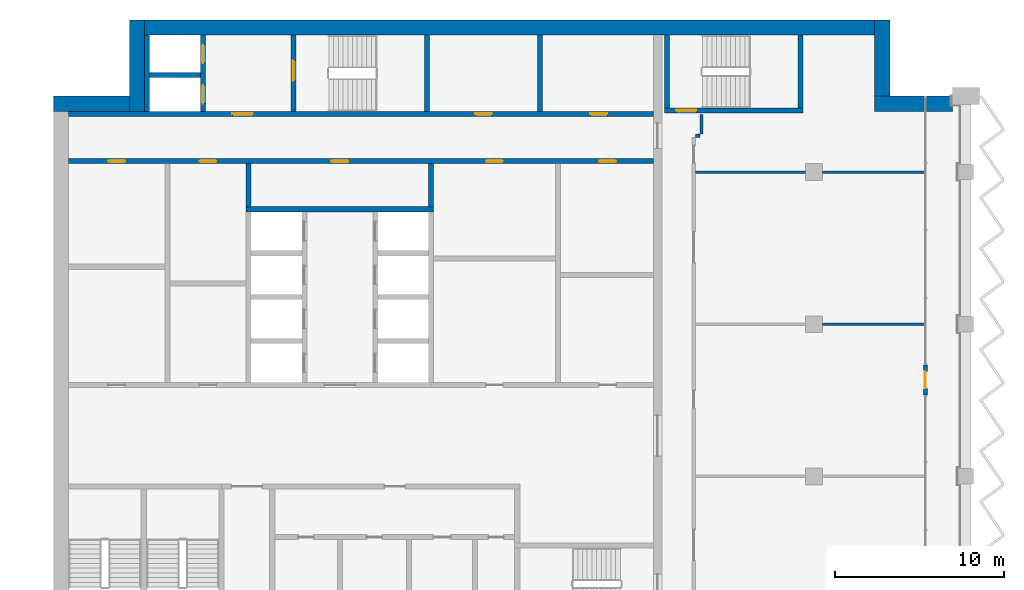
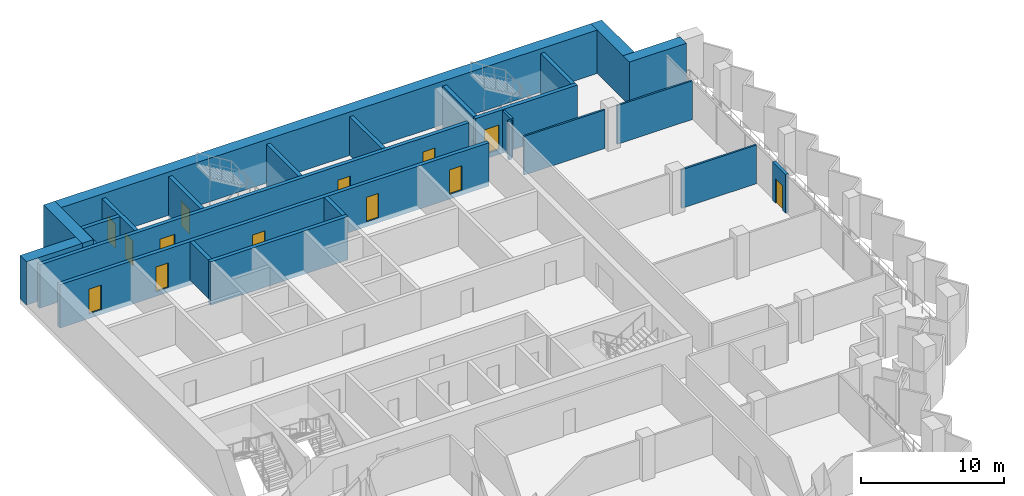
# One storey, part 11 of 17: 25 walls, 13 doors, 13 openings.
"""IFC4 building model written with IfcOpenShell, lengths in metres."""

from ifc_helpers import new_model, si_unit, direction, frame, frame_2d, origin, place, context, subcontext, project, spatial, rectangle, extrude, material, layer, layer_set, type_object, element, fill, save


model = new_model("IFC4")

# Units and contexts
model_context = context("Model", 3, precision=1e-05, world=origin(), true_north=direction((0.0, 1.0)))
body_context = subcontext(model_context, "Body", "Model", "MODEL_VIEW")
ifc_project = project(units=[si_unit("LENGTHUNIT", "METRE"), si_unit("AREAUNIT", "SQUARE_METRE"), si_unit("VOLUMEUNIT", "CUBIC_METRE"), si_unit("PLANEANGLEUNIT", "RADIAN"), si_unit("MASSUNIT", "GRAM", prefix="KILO")], contexts=[model_context])

# Site, building, storey
site_placement = place(None, origin())
site = spatial("IfcSite", under=ifc_project, at=site_placement, CompositionType="ELEMENT")
building_placement = place(site_placement, origin())
building = spatial("IfcBuilding", under=site, at=building_placement, Name="Hunhe Ridgeline Campus", CompositionType="ELEMENT")
storey_placement = place(building_placement, frame((0.0, 0.0, 265.10009765625)))
storey = spatial("IfcBuildingStorey", under=building, at=storey_placement, Name="L68", CompositionType="ELEMENT", Elevation=265.10009765625)

# Walls
ifc_material_1 = material(Name="Masonry concrete blockwork", Category="masonry")
ifc_layer_1 = layer(ifc_material_1, 0.300048828125)
ifc_layer_set_1 = layer_set([ifc_layer_1], Name="Core room partition 300 concrete block")
wall_type_1 = type_object("IfcWallType", Name="Core room partition 300 concrete block", PredefinedType="PARTITIONING", material=ifc_layer_set_1)
for number, where, z_axis, x_axis, name in (
    (1, (11.550048828125, 87.949951171875, 0.0), (0.0, 0.0, 1.0), (0.0, 1.0, 0.0), "L68 core partition 34"),
    (2, (22.35009765625, 87.949951171875, 0.0), (0.0, 0.0, 1.0), (0.0, 1.0, 0.0), "L68 core partition 44"),
):
    element("IfcWall", number, at=place(storey_placement, frame(where, z_axis=z_axis, x_axis=x_axis)), inside=storey, type_object=wall_type_1, Name=name, PredefinedType="PARTITIONING", context=body_context, shape_type="SweptSolid", body=[
        extrude(rectangle(XDim=2.550048828125, YDim=0.300048828125, at=frame_2d((1.27490234375, 0.0))), origin(), (0.0, 0.0, 1.0), 3.2998046875),
    ])
wall_1_placement = place(storey_placement, frame((28.800048828125, 93.60009765625, 0.0), z_axis=(0.0, 0.0, 1.0), x_axis=(0.0, 1.0, 0.0)))
element("IfcWall", 3, at=wall_1_placement, inside=storey, type_object=wall_type_1, Name="L68 core partition 49", PredefinedType="PARTITIONING", context=body_context, shape_type="SweptSolid", body=[
    extrude(rectangle(XDim=4.5, YDim=0.300048828125, at=frame_2d((2.25, 0.0))), origin(), (0.0, 0.0, 1.0), 3.2998046875),
])
ifc_material_2 = material(Name="Gypsum board partition")
ifc_layer_2 = layer(ifc_material_2, 0.199951171875)
ifc_layer_set_2 = layer_set([ifc_layer_2], Name="Corridor partition 200 gypsum board on steel studs")
wall_type_2 = type_object("IfcWallType", Name="Corridor partition 200 gypsum board on steel studs", PredefinedType="PARTITIONING", material=ifc_layer_set_2)
wall_2_placement = place(storey_placement, frame((38.25, 92.14990234375, 0.0), z_axis=(0.0, 0.0, 1.0), x_axis=(-1.0, 0.0, 0.0)))
element("IfcWall", 4, at=wall_2_placement, inside=storey, type_object=wall_type_2, Name="F-L68-wall-036", PredefinedType="PARTITIONING", context=body_context, shape_type="SweptSolid", body=[
    extrude(rectangle(XDim=0.25, YDim=0.199951171875, at=frame_2d((0.125, 0.0))), origin(), (0.0, 0.0, 1.0), 3.2998046875),
])
wall_3_placement = place(storey_placement, frame((38.35009765625, 93.39599609375, 0.0), z_axis=(0.0, 0.0, 1.0), x_axis=(0.0, -1.0, 0.0)))
element("IfcWall", 5, at=wall_3_placement, inside=storey, type_object=wall_type_2, Name="F-L68-wall-047", PredefinedType="PARTITIONING", context=body_context, shape_type="SweptSolid", body=[
    extrude(rectangle(XDim=1.14599609375, YDim=0.199951171875, at=frame_2d((0.572998046875, 0.0))), origin(), (0.0, 0.0, 1.0), 3.2998046875),
])

# Wall, openings, doors
ifc_material_3 = material(Name="Concrete C50", Category="concrete")
ifc_layer_3 = layer(ifc_material_3, 0.300048828125)
ifc_layer_set_3 = layer_set([ifc_layer_3], Name="Lobby wall 300 reinforced concrete C50")
wall_type_3 = type_object("IfcWallType", Name="Lobby wall 300 reinforced concrete C50", PredefinedType="SOLIDWALL", material=ifc_layer_set_3)
wall_4_placement = place(storey_placement, frame((0.89990234375, 90.64990234375, -0.400146484375), z_axis=(0.0, 0.0, 1.0), x_axis=(1.0, 0.0, 0.0)))
wall_4 = element("IfcWall", 6, at=wall_4_placement, inside=storey, type_object=wall_type_3, Name="L68 core wall 23", PredefinedType="SOLIDWALL", context=body_context, shape_type="SweptSolid", body=[
    extrude(rectangle(XDim=34.60009765625, YDim=0.300048828125, at=frame_2d((17.300048828125, 0.0))), origin(), (0.0, 0.0, 1.0), 3.699951171875),
])
opening_1_placement = place(wall_4_placement, frame((15.550048828125, 0.0, 0.39990234375)))
opening_1 = element("IfcOpeningElement", 7, at=opening_1_placement, cuts=wall_4, Name="Opening CD26", PredefinedType="OPENING", context=body_context, shape_type="SweptSolid", body=[
    extrude(rectangle(XDim=1.0, YDim=2.10009765625, at=frame_2d((0.5, 1.050048828125))), frame((0.0, 0.14990234375, 0.0), z_axis=(0.0, -1.0, 0.0), x_axis=(1.0, 0.0, 0.0)), (0.0, 0.0, 1.0), 0.300048828125),
])
opening_2_placement = place(wall_4_placement, frame((2.35009765625, 0.0, 0.39990234375)))
opening_2 = element("IfcOpeningElement", 8, at=opening_2_placement, cuts=wall_4, Name="Opening CD40", PredefinedType="OPENING", context=body_context, shape_type="SweptSolid", body=[
    extrude(rectangle(XDim=1.0, YDim=2.10009765625, at=frame_2d((0.5, 1.050048828125))), frame((0.0, 0.14990234375, 0.0), z_axis=(0.0, -1.0, 0.0), x_axis=(1.0, 0.0, 0.0)), (0.0, 0.0, 1.0), 0.300048828125),
])
opening_3_placement = place(wall_4_placement, frame((7.75, 0.0, 0.39990234375)))
opening_3 = element("IfcOpeningElement", 9, at=opening_3_placement, cuts=wall_4, Name="Opening CD43", PredefinedType="OPENING", context=body_context, shape_type="SweptSolid", body=[
    extrude(rectangle(XDim=1.0, YDim=2.10009765625, at=frame_2d((0.5, 1.050048828125))), frame((0.0, 0.14990234375, 0.0), z_axis=(0.0, -1.0, 0.0), x_axis=(1.0, 0.0, 0.0)), (0.0, 0.0, 1.0), 0.300048828125),
])
opening_4_placement = place(wall_4_placement, frame((24.699951171875, 0.0, 0.39990234375)))
opening_4 = element("IfcOpeningElement", 10, at=opening_4_placement, cuts=wall_4, Name="Opening CD33", PredefinedType="OPENING", context=body_context, shape_type="SweptSolid", body=[
    extrude(rectangle(XDim=1.0, YDim=2.10009765625, at=frame_2d((0.5, 1.050048828125))), frame((0.0, 0.14990234375, 0.0), z_axis=(0.0, -1.0, 0.0), x_axis=(1.0, 0.0, 0.0)), (0.0, 0.0, 1.0), 0.300048828125),
])
opening_5_placement = place(wall_4_placement, frame((31.39990234375, 0.0, 0.39990234375)))
opening_5 = element("IfcOpeningElement", 11, at=opening_5_placement, cuts=wall_4, Name="Opening CD44", PredefinedType="OPENING", context=body_context, shape_type="SweptSolid", body=[
    extrude(rectangle(XDim=1.0, YDim=2.10009765625, at=frame_2d((0.5, 1.050048828125))), frame((0.0, 0.14990234375, 0.0), z_axis=(0.0, -1.0, 0.0), x_axis=(1.0, 0.0, 0.0)), (0.0, 0.0, 1.0), 0.300048828125),
])
ifc_material_4 = material(Name="Solid core timber door leaf", Category="wood")
door_type_1 = type_object("IfcDoorType", Name="Timber door 1000x2100", OperationType="SINGLE_SWING_LEFT", PredefinedType="DOOR", material=ifc_material_4)
door_1_placement = place(opening_1_placement, frame((1.0, 0.0, 0.0), z_axis=(0.0, 0.0, 1.0), x_axis=(-1.0, 0.0, 0.0)))
door_1 = element("IfcDoor", 12, at=door_1_placement, inside=storey, type_object=door_type_1, Name="L68 door NR-0", OperationType="SINGLE_SWING_RIGHT", OverallHeight=2.10009765625, OverallWidth=1.0, PredefinedType="DOOR", context=body_context, shape_type="SweptSolid", body=[
    extrude(rectangle(XDim=1.0, YDim=2.10009765625, at=frame_2d((0.5, 1.050048828125))), frame((0.0, 0.02490234375, 0.0), z_axis=(0.0, -1.0, 0.0), x_axis=(1.0, 0.0, 0.0)), (0.0, 0.0, 1.0), 0.050048828125),
])
fill(opening_1, door_1)
door_2_placement = place(opening_2_placement, frame((1.0, 0.0, 0.0), z_axis=(0.0, 0.0, 1.0), x_axis=(-1.0, 0.0, 0.0)))
door_2 = element("IfcDoor", 13, at=door_2_placement, inside=storey, type_object=door_type_1, Name="L68 door VD-LR1", OperationType="SINGLE_SWING_RIGHT", OverallHeight=2.10009765625, OverallWidth=1.0, PredefinedType="DOOR", context=body_context, shape_type="SweptSolid", body=[
    extrude(rectangle(XDim=1.0, YDim=2.10009765625, at=frame_2d((0.5, 1.050048828125))), frame((0.0, 0.02490234375, 0.0), z_axis=(0.0, -1.0, 0.0), x_axis=(1.0, 0.0, 0.0)), (0.0, 0.0, 1.0), 0.050048828125),
])
fill(opening_2, door_2)
door_3_placement = place(opening_3_placement, frame((1.0, 0.0, 0.0), z_axis=(0.0, 0.0, 1.0), x_axis=(-1.0, 0.0, 0.0)))
door_3 = element("IfcDoor", 14, at=door_3_placement, inside=storey, type_object=door_type_1, Name="L68 door VD-LR3", OperationType="SINGLE_SWING_RIGHT", OverallHeight=2.10009765625, OverallWidth=1.0, PredefinedType="DOOR", context=body_context, shape_type="SweptSolid", body=[
    extrude(rectangle(XDim=1.0, YDim=2.10009765625, at=frame_2d((0.5, 1.050048828125))), frame((0.0, 0.02490234375, 0.0), z_axis=(0.0, -1.0, 0.0), x_axis=(1.0, 0.0, 0.0)), (0.0, 0.0, 1.0), 0.050048828125),
])
fill(opening_3, door_3)
door_4_placement = place(opening_4_placement, frame((1.0, 0.0, 0.0), z_axis=(0.0, 0.0, 1.0), x_axis=(-1.0, 0.0, 0.0)))
door_4 = element("IfcDoor", 15, at=door_4_placement, inside=storey, type_object=door_type_1, Name="L68 door ES1", OperationType="SINGLE_SWING_LEFT", OverallHeight=2.10009765625, OverallWidth=1.0, PredefinedType="DOOR", context=body_context, shape_type="SweptSolid", body=[
    extrude(rectangle(XDim=1.0, YDim=2.10009765625, at=frame_2d((0.5, 1.050048828125))), frame((0.0, 0.02490234375, 0.0), z_axis=(0.0, -1.0, 0.0), x_axis=(1.0, 0.0, 0.0)), (0.0, 0.0, 1.0), 0.050048828125),
])
fill(opening_4, door_4)
door_5_placement = place(opening_5_placement, frame((1.0, 0.0, 0.0), z_axis=(0.0, 0.0, 1.0), x_axis=(-1.0, 0.0, 0.0)))
door_5 = element("IfcDoor", 16, at=door_5_placement, inside=storey, type_object=door_type_1, Name="L68 door ES3", OperationType="SINGLE_SWING_LEFT", OverallHeight=2.10009765625, OverallWidth=1.0, PredefinedType="DOOR", context=body_context, shape_type="SweptSolid", body=[
    extrude(rectangle(XDim=1.0, YDim=2.10009765625, at=frame_2d((0.5, 1.050048828125))), frame((0.0, 0.02490234375, 0.0), z_axis=(0.0, -1.0, 0.0), x_axis=(1.0, 0.0, 0.0)), (0.0, 0.0, 1.0), 0.050048828125),
])
fill(opening_5, door_5)

# Wall, opening, door
ifc_material_5 = material(Name="Concrete C30", Category="concrete")
ifc_layer_4 = layer(ifc_material_5, 0.25)
ifc_layer_set_4 = layer_set([ifc_layer_4], Name="Loggia door pier wall 250 Concrete C30")
wall_type_4 = type_object("IfcWallType", Name="Loggia door pier wall 250 Concrete C30", PredefinedType="SOLIDWALL", material=ifc_layer_set_4)
wall_5_placement = place(storey_placement, frame((51.59912109375, 76.800537109375, 0.0), z_axis=(0.0, 0.0, 1.0), x_axis=(0.0, 1.0, 0.0)))
wall_5 = element("IfcWall", 17, at=wall_5_placement, inside=storey, type_object=wall_type_4, Name="Loggia door pier 3", PredefinedType="SOLIDWALL", context=body_context, shape_type="SweptSolid", body=[
    extrude(rectangle(XDim=1.800048828125, YDim=0.25, at=frame_2d((0.89990234375, 0.0))), origin(), (0.0, 0.0, 1.0), 3.2998046875),
])
opening_6_placement = place(wall_5_placement, frame((0.39990234375, 0.0, 0.0)))
opening_6 = element("IfcOpeningElement", 18, at=opening_6_placement, cuts=wall_5, Name="Opening BD506", PredefinedType="OPENING", context=body_context, shape_type="SweptSolid", body=[
    extrude(rectangle(XDim=1.0, YDim=2.10009765625, at=frame_2d((0.5, 1.050048828125))), frame((0.0, 0.125, 0.0), z_axis=(0.0, -1.0, 0.0), x_axis=(1.0, 0.0, 0.0)), (0.0, 0.0, 1.0), 0.25),
])
ifc_material_6 = material(Name="Aluminium 6063", Category="aluminium")
door_type_2 = type_object("IfcDoorType", Name="Loggia glazed door 1000x2100", OperationType="NOTDEFINED", PredefinedType="DOOR", material=ifc_material_6)
door_6_placement = place(opening_6_placement, frame((1.0, 0.0, 0.0), z_axis=(0.0, 0.0, 1.0), x_axis=(-1.0, 0.0, 0.0)))
door_6 = element("IfcDoor", 19, at=door_6_placement, inside=storey, type_object=door_type_2, Name="Loggia door BD506", OperationType="SINGLE_SWING_LEFT", OverallHeight=2.10009765625, OverallWidth=1.0, PredefinedType="DOOR", context=body_context, shape_type="SweptSolid", body=[
    extrude(rectangle(XDim=1.0, YDim=2.10009765625, at=frame_2d((0.5, 1.050048828125))), frame((0.0, 0.02490234375, 0.0), z_axis=(0.0, -1.0, 0.0), x_axis=(1.0, 0.0, 0.0)), (0.0, 0.0, 1.0), 0.050048828125),
])
fill(opening_6, door_6)

# Walls
ifc_layer_5 = layer(ifc_material_2, 0.14990234375)
ifc_layer_set_5 = layer_set([ifc_layer_5], Name="Room partition 150 gypsum board on steel studs")
wall_type_5 = type_object("IfcWallType", Name="Room partition 150 gypsum board on steel studs", PredefinedType="PARTITIONING", material=ifc_layer_set_5)
wall_6_placement = place(storey_placement, frame((45.5, 81.0, 0.0), z_axis=(0.0, 0.0, 1.0), x_axis=(1.0, 0.0, 0.0)))
element("IfcWall", 20, at=wall_6_placement, inside=storey, type_object=wall_type_5, Name="F-L68-wall-033", PredefinedType="PARTITIONING", context=body_context, shape_type="SweptSolid", body=[
    extrude(rectangle(XDim=6.044921875, YDim=0.14990234375, at=frame_2d((3.0224609375, 0.0))), origin(), (0.0, 0.0, 1.0), 3.2998046875),
])
wall_7_placement = place(storey_placement, frame((38.0, 90.0, 0.0), z_axis=(0.0, 0.0, 1.0), x_axis=(1.0, 0.0, 0.0)))
element("IfcWall", 21, at=wall_7_placement, inside=storey, type_object=wall_type_5, Name="F-L68-wall-034", PredefinedType="PARTITIONING", context=body_context, shape_type="SweptSolid", body=[
    extrude(rectangle(XDim=6.5, YDim=0.14990234375, at=frame_2d((3.25, 0.0))), origin(), (0.0, 0.0, 1.0), 3.2998046875),
])
wall_8_placement = place(storey_placement, frame((45.5, 90.0, 0.0), z_axis=(0.0, 0.0, 1.0), x_axis=(1.0, 0.0, 0.0)))
element("IfcWall", 22, at=wall_8_placement, inside=storey, type_object=wall_type_5, Name="F-L68-wall-035", PredefinedType="PARTITIONING", context=body_context, shape_type="SweptSolid", body=[
    extrude(rectangle(XDim=6.044921875, YDim=0.14990234375, at=frame_2d((3.0224609375, 0.0))), origin(), (0.0, 0.0, 1.0), 3.2998046875),
])
ifc_layer_6 = layer(ifc_material_3, 0.300048828125)
ifc_layer_set_6 = layer_set([ifc_layer_6], Name="Shaft wall 300 reinforced concrete C50")
wall_type_6 = type_object("IfcWallType", Name="Shaft wall 300 reinforced concrete C50", PredefinedType="SOLIDWALL", material=ifc_layer_set_6)
wall_9_placement = place(storey_placement, frame((11.39990234375, 87.800048828125, -0.400146484375), z_axis=(0.0, 0.0, 1.0), x_axis=(1.0, 0.0, 0.0)))
element("IfcWall", 23, at=wall_9_placement, inside=storey, type_object=wall_type_6, Name="L68 core wall 22", PredefinedType="SOLIDWALL", context=body_context, shape_type="SweptSolid", body=[
    extrude(rectangle(XDim=11.10009765625, YDim=0.300048828125, at=frame_2d((5.550048828125, 0.0))), origin(), (0.0, 0.0, 1.0), 3.699951171875),
])

# Wall, openings, doors
wall_10_placement = place(storey_placement, frame((0.89990234375, 93.449951171875, -0.400146484375), z_axis=(0.0, 0.0, 1.0), x_axis=(1.0, 0.0, 0.0)))
wall_10 = element("IfcWall", 24, at=wall_10_placement, inside=storey, type_object=wall_type_6, Name="L68 core wall 24", PredefinedType="SOLIDWALL", context=body_context, shape_type="SweptSolid", body=[
    extrude(rectangle(XDim=34.60009765625, YDim=0.300048828125, at=frame_2d((17.300048828125, 0.0))), origin(), (0.0, 0.0, 1.0), 3.699951171875),
])
opening_7_placement = place(wall_10_placement, frame((9.699951171875, 0.0, 0.39990234375)))
opening_7 = element("IfcOpeningElement", 25, at=opening_7_placement, cuts=wall_10, Name="Opening CD3", PredefinedType="OPENING", context=body_context, shape_type="SweptSolid", body=[
    extrude(rectangle(XDim=1.199951171875, YDim=2.10009765625, at=frame_2d((0.60009765625, 1.050048828125))), frame((0.0, 0.14990234375, 0.0), z_axis=(0.0, -1.0, 0.0), x_axis=(1.0, 0.0, 0.0)), (0.0, 0.0, 1.0), 0.300048828125),
])
opening_8_placement = place(wall_10_placement, frame((24.050048828125, 0.0, 0.39990234375)))
opening_8 = element("IfcOpeningElement", 26, at=opening_8_placement, cuts=wall_10, Name="Opening CD34", PredefinedType="OPENING", context=body_context, shape_type="SweptSolid", body=[
    extrude(rectangle(XDim=1.0, YDim=2.10009765625, at=frame_2d((0.5, 1.050048828125))), frame((0.0, 0.14990234375, 0.0), z_axis=(0.0, -1.0, 0.0), x_axis=(1.0, 0.0, 0.0)), (0.0, 0.0, 1.0), 0.300048828125),
])
opening_9_placement = place(wall_10_placement, frame((30.875, 0.0, 0.39990234375)))
opening_9 = element("IfcOpeningElement", 27, at=opening_9_placement, cuts=wall_10, Name="Opening CD35", PredefinedType="OPENING", context=body_context, shape_type="SweptSolid", body=[
    extrude(rectangle(XDim=1.0, YDim=2.10009765625, at=frame_2d((0.5, 1.050048828125))), frame((0.0, 0.14990234375, 0.0), z_axis=(0.0, -1.0, 0.0), x_axis=(1.0, 0.0, 0.0)), (0.0, 0.0, 1.0), 0.300048828125),
])
ifc_material_7 = material(Name="Hollow metal fire door leaf")
door_type_3 = type_object("IfcDoorType", Name="Lobby door 1200x2100 FD60", OperationType="SINGLE_SWING_LEFT", PredefinedType="DOOR", material=ifc_material_7)
door_7_placement = place(opening_7_placement, frame((1.199951171875, 0.0, 0.0), z_axis=(0.0, 0.0, 1.0), x_axis=(-1.0, 0.0, 0.0)))
door_7 = element("IfcDoor", 28, at=door_7_placement, inside=storey, type_object=door_type_3, Name="L68 door FF-C1", OperationType="SINGLE_SWING_RIGHT", OverallHeight=2.10009765625, OverallWidth=1.199951171875, PredefinedType="DOOR", context=body_context, shape_type="SweptSolid", body=[
    extrude(rectangle(XDim=1.199951171875, YDim=2.10009765625, at=frame_2d((0.60009765625, 1.050048828125))), frame((0.0, 0.02490234375, 0.0), z_axis=(0.0, -1.0, 0.0), x_axis=(1.0, 0.0, 0.0)), (0.0, 0.0, 1.0), 0.050048828125),
])
fill(opening_7, door_7)
door_8_placement = place(opening_8_placement, origin())
door_8 = element("IfcDoor", 29, at=door_8_placement, inside=storey, type_object=door_type_1, Name="L68 door NB0", OperationType="SINGLE_SWING_LEFT", OverallHeight=2.10009765625, OverallWidth=1.0, PredefinedType="DOOR", context=body_context, shape_type="SweptSolid", body=[
    extrude(rectangle(XDim=1.0, YDim=2.10009765625, at=frame_2d((0.5, 1.050048828125))), frame((0.0, 0.02490234375, 0.0), z_axis=(0.0, -1.0, 0.0), x_axis=(1.0, 0.0, 0.0)), (0.0, 0.0, 1.0), 0.050048828125),
])
fill(opening_8, door_8)
door_9_placement = place(opening_9_placement, origin())
door_9 = element("IfcDoor", 30, at=door_9_placement, inside=storey, type_object=door_type_1, Name="L68 door NB1", OperationType="SINGLE_SWING_RIGHT", OverallHeight=2.10009765625, OverallWidth=1.0, PredefinedType="DOOR", context=body_context, shape_type="SweptSolid", body=[
    extrude(rectangle(XDim=1.0, YDim=2.10009765625, at=frame_2d((0.5, 1.050048828125))), frame((0.0, 0.02490234375, 0.0), z_axis=(0.0, -1.0, 0.0), x_axis=(1.0, 0.0, 0.0)), (0.0, 0.0, 1.0), 0.050048828125),
])
fill(opening_9, door_9)

# Walls
wall_11_placement = place(storey_placement, frame((5.699951171875, 95.75, -0.400146484375), z_axis=(0.0, 0.0, 1.0), x_axis=(1.0, 0.0, 0.0)))
element("IfcWall", 31, at=wall_11_placement, inside=storey, type_object=wall_type_6, Name="L68 core wall 26", PredefinedType="SOLIDWALL", context=body_context, shape_type="SweptSolid", body=[
    extrude(rectangle(XDim=3.0, YDim=0.300048828125, at=frame_2d((1.5, 0.0))), origin(), (0.0, 0.0, 1.0), 3.699951171875),
])
wall_12_placement = place(storey_placement, frame((5.550048828125, 93.60009765625, -0.400146484375), z_axis=(0.0, 0.0, 1.0), x_axis=(0.0, 1.0, 0.0)))
element("IfcWall", 32, at=wall_12_placement, inside=storey, type_object=wall_type_6, Name="L68 core wall 28", PredefinedType="SOLIDWALL", context=body_context, shape_type="SweptSolid", body=[
    extrude(rectangle(XDim=4.5, YDim=0.300048828125, at=frame_2d((2.25, 0.0))), origin(), (0.0, 0.0, 1.0), 3.699951171875),
])

# Wall, openings, doors
wall_13_placement = place(storey_placement, frame((8.85009765625, 93.60009765625, -0.400146484375), z_axis=(0.0, 0.0, 1.0), x_axis=(0.0, 1.0, 0.0)))
wall_13 = element("IfcWall", 33, at=wall_13_placement, inside=storey, type_object=wall_type_6, Name="L68 core wall 31", PredefinedType="SOLIDWALL", context=body_context, shape_type="SweptSolid", body=[
    extrude(rectangle(XDim=4.5, YDim=0.300048828125, at=frame_2d((2.25, 0.0))), origin(), (0.0, 0.0, 1.0), 3.699951171875),
])
opening_10_placement = place(wall_13_placement, frame((0.449951171875, 0.0, 0.39990234375)))
opening_10 = element("IfcOpeningElement", 34, at=opening_10_placement, cuts=wall_13, Name="Opening LD-FF1", PredefinedType="OPENING", context=body_context, shape_type="SweptSolid", body=[
    extrude(rectangle(XDim=1.10009765625, YDim=2.10009765625, at=frame_2d((0.550048828125, 1.050048828125))), frame((0.0, 0.14990234375, 0.0), z_axis=(0.0, -1.0, 0.0), x_axis=(1.0, 0.0, 0.0)), (0.0, 0.0, 1.0), 0.300048828125),
])
opening_11_placement = place(wall_13_placement, frame((2.85009765625, 0.0, 0.39990234375)))
opening_11 = element("IfcOpeningElement", 35, at=opening_11_placement, cuts=wall_13, Name="Opening LD-FF2", PredefinedType="OPENING", context=body_context, shape_type="SweptSolid", body=[
    extrude(rectangle(XDim=1.10009765625, YDim=2.10009765625, at=frame_2d((0.550048828125, 1.050048828125))), frame((0.0, 0.14990234375, 0.0), z_axis=(0.0, -1.0, 0.0), x_axis=(1.0, 0.0, 0.0)), (0.0, 0.0, 1.0), 0.300048828125),
])
ifc_material_8 = material(Name="Stainless steel sliding leaves", Category="steel")
door_type_4 = type_object("IfcDoorType", Name="Landing door 1100x2100 FD120", OperationType="SLIDING_TO_LEFT", PredefinedType="DOOR", material=ifc_material_8)
door_10_placement = place(opening_10_placement, origin())
door_10 = element("IfcDoor", 36, at=door_10_placement, inside=storey, type_object=door_type_4, Name="L68 landing door FF1", OperationType="SLIDING_TO_RIGHT", OverallHeight=2.10009765625, OverallWidth=1.10009765625, PredefinedType="DOOR", context=body_context, shape_type="SweptSolid", body=[
    extrude(rectangle(XDim=1.10009765625, YDim=2.10009765625, at=frame_2d((0.550048828125, 1.050048828125))), frame((0.0, 0.02490234375, 0.0), z_axis=(0.0, -1.0, 0.0), x_axis=(1.0, 0.0, 0.0)), (0.0, 0.0, 1.0), 0.050048828125),
])
fill(opening_10, door_10)
door_11_placement = place(opening_11_placement, origin())
door_11 = element("IfcDoor", 37, at=door_11_placement, inside=storey, type_object=door_type_4, Name="L68 landing door FF2", OperationType="SLIDING_TO_LEFT", OverallHeight=2.10009765625, OverallWidth=1.10009765625, PredefinedType="DOOR", context=body_context, shape_type="SweptSolid", body=[
    extrude(rectangle(XDim=1.10009765625, YDim=2.10009765625, at=frame_2d((0.550048828125, 1.050048828125))), frame((0.0, 0.02490234375, 0.0), z_axis=(0.0, -1.0, 0.0), x_axis=(1.0, 0.0, 0.0)), (0.0, 0.0, 1.0), 0.050048828125),
])
fill(opening_11, door_11)

# Walls
ifc_material_9 = material(Name="Concrete C60", Category="concrete")
ifc_layer_7 = layer(ifc_material_9, 0.89990234375)
ifc_layer_set_7 = layer_set([ifc_layer_7], Name="Spine wall 900 Concrete C60")
wall_type_7 = type_object("IfcWallType", Name="Spine wall 900 Concrete C60", PredefinedType="SHEAR", material=ifc_layer_set_7)
wall_14_placement = place(storey_placement, frame((53.199951171875, 94.050048828125, 0.0), z_axis=(0.0, 0.0, 1.0), x_axis=(-1.0, 0.0, 0.0)))
element("IfcWall", 38, at=wall_14_placement, inside=storey, type_object=wall_type_7, Name="Spine wall SW3-2 L68", PredefinedType="SHEAR", context=body_context, shape_type="SweptSolid", body=[
    extrude(rectangle(XDim=4.599853515625, YDim=0.89990234375, at=frame_2d((2.2998046875, 0.0))), origin(), (0.0, 0.0, 1.0), 3.699951171875),
])
wall_15_placement = place(storey_placement, frame((49.050048828125, 93.60009765625, 0.0), z_axis=(0.0, 0.0, 1.0), x_axis=(0.0, 1.0, 0.0)))
element("IfcWall", 39, at=wall_15_placement, inside=storey, type_object=wall_type_7, Name="Spine wall SW3-3 L68", PredefinedType="SHEAR", context=body_context, shape_type="SweptSolid", body=[
    extrude(rectangle(XDim=5.39990234375, YDim=0.89990234375, at=frame_2d((2.699951171875, 0.0))), origin(), (0.0, 0.0, 1.0), 3.699951171875),
])
wall_16_placement = place(storey_placement, frame((49.5, 98.550048828125, 0.0), z_axis=(0.0, 0.0, 1.0), x_axis=(-1.0, 0.0, 0.0)))
element("IfcWall", 40, at=wall_16_placement, inside=storey, type_object=wall_type_7, Name="Spine wall SW3-4 L68", PredefinedType="SHEAR", context=body_context, shape_type="SweptSolid", body=[
    extrude(rectangle(XDim=45.0, YDim=0.89990234375, at=frame_2d((22.5, 0.0))), origin(), (0.0, 0.0, 1.0), 3.699951171875),
])
for number, where, z_axis, x_axis, name in (
    (41, (4.949951171875, 99.0, 0.0), (0.0, 0.0, 1.0), (0.0, -1.0, 0.0), "Spine wall SW3-5 L68"),
    (42, (5.400146484375, 94.050048828125, 0.0), (0.0, 0.0, 1.0), (-1.0, 0.0, 0.0), "Spine wall SW3-6 L68"),
):
    element("IfcWall", number, at=place(storey_placement, frame(where, z_axis=z_axis, x_axis=x_axis)), inside=storey, type_object=wall_type_7, Name=name, PredefinedType="SHEAR", context=body_context, shape_type="SweptSolid", body=[
        extrude(rectangle(XDim=5.400146484375, YDim=0.89990234375, at=frame_2d((2.7001953125, 0.0))), origin(), (0.0, 0.0, 1.0), 3.699951171875),
    ])

# Wall, opening, door
ifc_layer_8 = layer(ifc_material_3, 0.300048828125)
ifc_layer_set_8 = layer_set([ifc_layer_8], Name="Stair wall 300 reinforced concrete C50")
wall_type_8 = type_object("IfcWallType", Name="Stair wall 300 reinforced concrete C50", PredefinedType="SOLIDWALL", material=ifc_layer_set_8)
wall_17_placement = place(storey_placement, frame((36.14990234375, 93.64990234375, -0.400146484375), z_axis=(0.0, 0.0, 1.0), x_axis=(1.0, 0.0, 0.0)))
wall_17 = element("IfcWall", 43, at=wall_17_placement, inside=storey, type_object=wall_type_8, Name="L68 core wall 25", PredefinedType="SOLIDWALL", context=body_context, shape_type="SweptSolid", body=[
    extrude(rectangle(XDim=8.2001953125, YDim=0.300048828125, at=frame_2d((4.10009765625, 0.0))), origin(), (0.0, 0.0, 1.0), 3.699951171875),
])
opening_12_placement = place(wall_17_placement, frame((0.699951171875, 0.0, 0.39990234375)))
opening_12 = element("IfcOpeningElement", 44, at=opening_12_placement, cuts=wall_17, Name="Opening CD17", PredefinedType="OPENING", context=body_context, shape_type="SweptSolid", body=[
    extrude(rectangle(XDim=1.199951171875, YDim=2.10009765625, at=frame_2d((0.60009765625, 1.050048828125))), frame((0.0, 0.14990234375, 0.0), z_axis=(0.0, -1.0, 0.0), x_axis=(1.0, 0.0, 0.0)), (0.0, 0.0, 1.0), 0.300048828125),
])
door_type_5 = type_object("IfcDoorType", Name="Stair door 1200x2100 FD60", OperationType="SINGLE_SWING_LEFT", PredefinedType="DOOR", material=ifc_material_7)
door_12_placement = place(opening_12_placement, frame((1.199951171875, 0.0, 0.0), z_axis=(0.0, 0.0, 1.0), x_axis=(-1.0, 0.0, 0.0)))
door_12 = element("IfcDoor", 45, at=door_12_placement, inside=storey, type_object=door_type_5, Name="L68 door E1", OperationType="SINGLE_SWING_LEFT", OverallHeight=2.10009765625, OverallWidth=1.199951171875, PredefinedType="DOOR", context=body_context, shape_type="SweptSolid", body=[
    extrude(rectangle(XDim=1.199951171875, YDim=2.10009765625, at=frame_2d((0.60009765625, 1.050048828125))), frame((0.0, 0.02490234375, 0.0), z_axis=(0.0, -1.0, 0.0), x_axis=(1.0, 0.0, 0.0)), (0.0, 0.0, 1.0), 0.050048828125),
])
fill(opening_12, door_12)

wall_18_placement = place(storey_placement, frame((14.199951171875, 93.60009765625, -0.400146484375), z_axis=(0.0, 0.0, 1.0), x_axis=(0.0, 1.0, 0.0)))
wall_18 = element("IfcWall", 46, at=wall_18_placement, inside=storey, type_object=wall_type_8, Name="L68 core wall 36", PredefinedType="SOLIDWALL", context=body_context, shape_type="SweptSolid", body=[
    extrude(rectangle(XDim=4.5, YDim=0.300048828125, at=frame_2d((2.25, 0.0))), origin(), (0.0, 0.0, 1.0), 3.699951171875),
])
opening_13_placement = place(wall_18_placement, frame((1.800048828125, 0.0, 0.39990234375)))
opening_13 = element("IfcOpeningElement", 47, at=opening_13_placement, cuts=wall_18, Name="Opening CD16", PredefinedType="OPENING", context=body_context, shape_type="SweptSolid", body=[
    extrude(rectangle(XDim=1.199951171875, YDim=2.10009765625, at=frame_2d((0.60009765625, 1.050048828125))), frame((0.0, 0.14990234375, 0.0), z_axis=(0.0, -1.0, 0.0), x_axis=(1.0, 0.0, 0.0)), (0.0, 0.0, 1.0), 0.300048828125),
])
door_13_placement = place(opening_13_placement, origin())
door_13 = element("IfcDoor", 48, at=door_13_placement, inside=storey, type_object=door_type_5, Name="L68 door S1-FF", OperationType="SINGLE_SWING_RIGHT", OverallHeight=2.10009765625, OverallWidth=1.199951171875, PredefinedType="DOOR", context=body_context, shape_type="SweptSolid", body=[
    extrude(rectangle(XDim=1.199951171875, YDim=2.10009765625, at=frame_2d((0.60009765625, 1.050048828125))), frame((0.0, 0.02490234375, 0.0), z_axis=(0.0, -1.0, 0.0), x_axis=(1.0, 0.0, 0.0)), (0.0, 0.0, 1.0), 0.050048828125),
])
fill(opening_13, door_13)

# Walls
wall_19_placement = place(storey_placement, frame((22.10009765625, 93.60009765625, -0.400146484375), z_axis=(0.0, 0.0, 1.0), x_axis=(0.0, 1.0, 0.0)))
element("IfcWall", 49, at=wall_19_placement, inside=storey, type_object=wall_type_8, Name="L68 core wall 42", PredefinedType="SOLIDWALL", context=body_context, shape_type="SweptSolid", body=[
    extrude(rectangle(XDim=4.5, YDim=0.300048828125, at=frame_2d((2.25, 0.0))), origin(), (0.0, 0.0, 1.0), 3.699951171875),
])
for number, where, z_axis, x_axis, name in (
    (50, (36.300048828125, 93.800048828125, -0.400146484375), (0.0, 0.0, 1.0), (0.0, 1.0, 0.0), "L68 core wall 52"),
    (51, (44.199951171875, 93.800048828125, -0.400146484375), (0.0, 0.0, 1.0), (0.0, 1.0, 0.0), "L68 core wall 53"),
):
    element("IfcWall", number, at=place(storey_placement, frame(where, z_axis=z_axis, x_axis=x_axis)), inside=storey, type_object=wall_type_8, Name=name, PredefinedType="SOLIDWALL", context=body_context, shape_type="SweptSolid", body=[
        extrude(rectangle(XDim=4.300048828125, YDim=0.300048828125, at=frame_2d((2.14990234375, 0.0))), origin(), (0.0, 0.0, 1.0), 3.699951171875),
    ])

save(model, "model.ifc")
